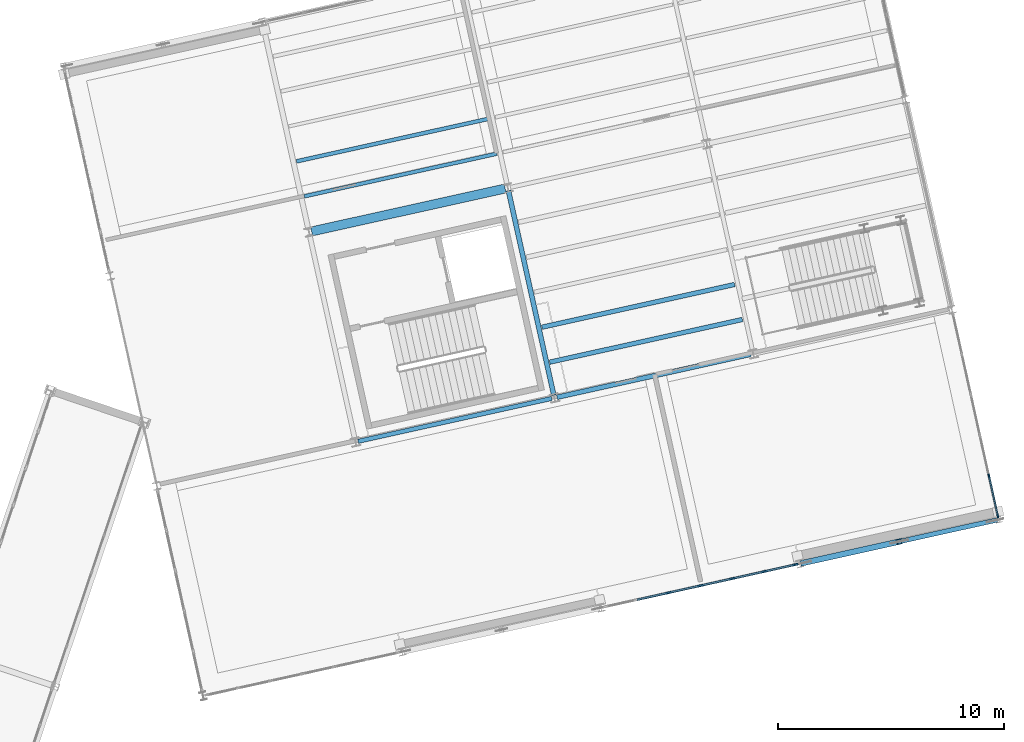
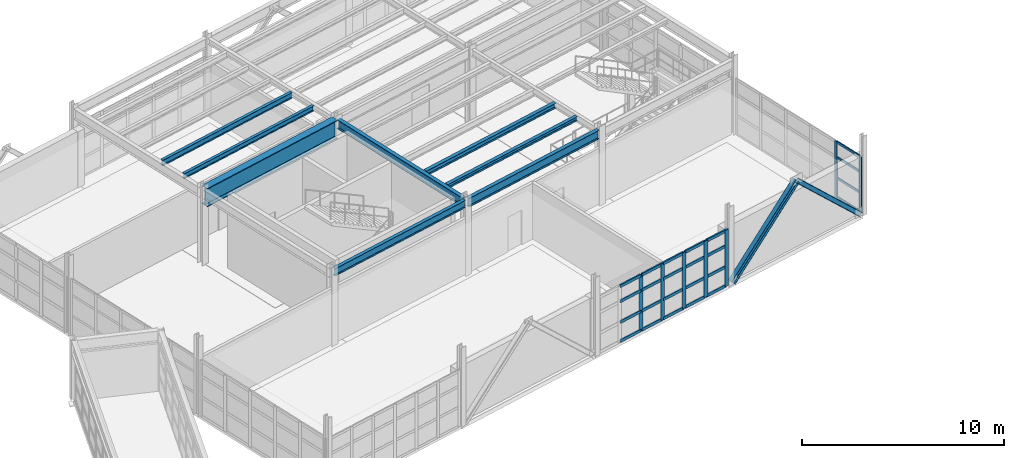
# One storey, part 55 of 102: 33 members, 8 beams, 2 elements without a shape of their own.
"""IFC4 building model written with IfcOpenShell, lengths in metres."""

from ifc_helpers import new_model, si_unit, direction, frame, origin, origin_2d, place, context, subcontext, project, spatial, rectangle, i_section, extrude, material, layer, layer_set, material_profile, profile_set, type_object, element, aggregate, save


model = new_model("IFC4")

# Units and contexts
model_context = context("Model", 3, precision=1e-05, world=origin(), true_north=direction((0.0, 1.0)))
body_context = subcontext(model_context, "Body", "Model", "MODEL_VIEW")
ifc_project = project(units=[si_unit("LENGTHUNIT", "METRE"), si_unit("AREAUNIT", "SQUARE_METRE"), si_unit("VOLUMEUNIT", "CUBIC_METRE"), si_unit("PLANEANGLEUNIT", "RADIAN"), si_unit("MASSUNIT", "GRAM", prefix="KILO")], contexts=[model_context])

# Site, building, storey
site_placement = place(None, origin())
site = spatial("IfcSite", under=ifc_project, at=site_placement, CompositionType="ELEMENT")
building_placement = place(site_placement, origin())
building = spatial("IfcBuilding", under=site, at=building_placement, Name="Vireo Bluff Cable Station", CompositionType="ELEMENT")
storey_placement = place(building_placement, frame((0.0, 0.0, 9.60009765625)))
storey = spatial("IfcBuildingStorey", under=building, at=storey_placement, Name="L02", CompositionType="ELEMENT", Elevation=9.60009765625)

# Beam
ifc_material_1 = material(Name="Steel ASTM A992 Gr. 50", Category="steel")
ifc_material_profile_1 = material_profile(ifc_material_1, i_section(OverallWidth=0.214111328125, OverallDepth=0.549072265625, WebThickness=0.0146484375, FlangeThickness=0.023681640625, FilletRadius=0.012939453125, at=origin_2d()), Name="W21X93")
ifc_profile_set_1 = profile_set([ifc_material_profile_1], Name="Steel ASTM A992 Gr. 50")
beam_type_1 = type_object("IfcBeamType", Name="BM-W21X93", PredefinedType="BEAM", material=ifc_profile_set_1)
beam_1_placement = place(storey_placement, frame((141.4912109375, 87.287841796875, 4.265380859375), z_axis=(-0.216430734067, 0.976297975698, 0.0), x_axis=(-0.976297975698, -0.216430734067, 0.0)))
element("IfcBeam", 1, at=beam_1_placement, inside=storey, type_object=beam_type_1, Name="V2 L02 beam 535", PredefinedType="BEAM", context=body_context, shape_type="SweptSolid", body=[
    extrude(i_section(OverallWidth=0.214111328125, OverallDepth=0.549072265625, WebThickness=0.0146484375, FlangeThickness=0.023681640625, FilletRadius=0.012939453125, at=origin_2d()), origin(), (0.0, 0.0, 1.0), 9.260009765625),
])

# Members
ifc_material_profile_2 = material_profile(ifc_material_1, i_section(OverallWidth=0.2041015625, OverallDepth=0.257080078125, WebThickness=0.0087890625, FlangeThickness=0.015625, FilletRadius=0.009033203125, at=origin_2d()), Name="W10X45")
ifc_profile_set_2 = profile_set([ifc_material_profile_2], Name="Steel ASTM A992 Gr. 50")
member_type_1 = type_object("IfcMemberType", Name="BRC-01", PredefinedType="BRACE", material=ifc_profile_set_2)
member_1_placement = place(storey_placement, frame((160.990478515625, 81.757080078125, 0.039794921875), z_axis=(-0.70641690538, -0.156588063094, 0.69025744059), x_axis=(0.216412221259, -0.976302079528, 0.0)))
element("IfcMember", 2, at=member_1_placement, inside=storey, type_object=member_type_1, Name="V2 L02 concentric brace 42R", PredefinedType="BRACE", context=body_context, shape_type="SweptSolid", body=[
    extrude(i_section(OverallWidth=0.2041015625, OverallDepth=0.257080078125, WebThickness=0.0087890625, FlangeThickness=0.015625, FilletRadius=0.009033203125, at=origin_2d()), origin(), (0.0, 0.0, 1.0), 5.998046875),
])
ifc_material_profile_3 = material_profile(ifc_material_1, i_section(OverallWidth=0.25390625, OverallDepth=0.35302734375, WebThickness=0.009521484375, FlangeThickness=0.016357421875, FilletRadius=0.011962890625, at=origin_2d()), Name="W14X61")
ifc_profile_set_3 = profile_set([ifc_material_profile_3], Name="Steel ASTM A992 Gr. 50")
member_type_2 = type_object("IfcMemberType", Name="BRC-06", PredefinedType="BRACE", material=ifc_profile_set_3)
member_2_placement = place(storey_placement, frame((152.51611328125, 79.87841796875, 0.039794921875), z_axis=(0.706432793225, 0.156623265057, 0.690233193565), x_axis=(-0.216453952688, 0.976292828185, 0.0)))
element("IfcMember", 3, at=member_2_placement, inside=storey, type_object=member_type_2, Name="V2 L02 concentric brace 41L", PredefinedType="BRACE", context=body_context, shape_type="SweptSolid", body=[
    extrude(i_section(OverallWidth=0.25390625, OverallDepth=0.35302734375, WebThickness=0.009521484375, FlangeThickness=0.016357421875, FilletRadius=0.011962890625, at=origin_2d()), origin(), (0.0, 0.0, 1.0), 5.998291015625),
])

# Curtain wall, members
ifc_material_2 = material(Name="Anodized Aluminium 6063-T6", Category="aluminium")
ifc_layer_1 = layer(ifc_material_2, 0.159912109375, Name="Anodized Aluminium 6063-T6")
ifc_layer_set_1 = layer_set([ifc_layer_1], Name="Anodized Aluminium 6063-T6")
curtain_wall_type_1 = type_object("IfcCurtainWallType", Name="CW-STICK-1750", PredefinedType="USERDEFINED", material=ifc_layer_set_1)
curtain_wall_1_placement = place(storey_placement, origin())
curtain_wall_1 = element("IfcCurtainWall", 4, at=curtain_wall_1_placement, inside=storey, type_object=curtain_wall_type_1, Name="V2 L02 east curtain wall CW-060", ObjectType="STICK CURTAIN WALL", PredefinedType="USERDEFINED")
ifc_material_profile_4 = material_profile(ifc_material_2, rectangle(XDim=0.06494140625, YDim=0.179931640625, at=origin_2d()), Name="ALU-M-65X180")
ifc_profile_set_4 = profile_set([ifc_material_profile_4], Name="Anodized Aluminium 6063-T6")
member_type_3 = type_object("IfcMemberType", Name="CWM-01", PredefinedType="MULLION", material=ifc_profile_set_4)
member_3_placement = place(storey_placement, frame((160.71923828125, 83.719482421875, 0.0), z_axis=(0.0, 0.0, 1.0), x_axis=(0.976296019658, 0.216439557384, 0.0)))
member_3 = element("IfcMember", 5, at=member_3_placement, type_object=member_type_3, Name="CW-060 mullion 5", PredefinedType="MULLION", context=body_context, shape_type="SweptSolid", body=[
    extrude(rectangle(XDim=0.06494140625, YDim=0.179931640625, at=origin_2d()), origin(), (0.0, 0.0, 1.0), 3.39990234375),
])
member_4_placement = place(storey_placement, frame((161.110595703125, 81.954345703125, 0.0), z_axis=(0.0, 0.0, 1.0), x_axis=(0.976296019658, 0.216439557384, 0.0)))
member_4 = element("IfcMember", 6, at=member_4_placement, type_object=member_type_3, Name="CW-060 mullion 6", PredefinedType="MULLION", context=body_context, shape_type="SweptSolid", body=[
    extrude(rectangle(XDim=0.06494140625, YDim=0.179931640625, at=origin_2d()), origin(), (0.0, 0.0, 1.0), 3.39990234375),
])

ifc_layer_2 = layer(ifc_material_2, 0.179931640625, Name="Anodized Aluminium 6063-T6")
ifc_layer_set_2 = layer_set([ifc_layer_2], Name="Anodized Aluminium 6063-T6")
curtain_wall_type_2 = type_object("IfcCurtainWallType", Name="CW-UNIT-1400", PredefinedType="USERDEFINED", material=ifc_layer_set_2)
curtain_wall_2_placement = place(storey_placement, origin())
curtain_wall_2 = element("IfcCurtainWall", 7, at=curtain_wall_2_placement, inside=storey, type_object=curtain_wall_type_2, Name="V2 L02 south curtain wall CW-051", ObjectType="UNITISED CURTAIN WALL", PredefinedType="USERDEFINED")
ifc_material_profile_5 = material_profile(ifc_material_2, rectangle(XDim=0.080078125, YDim=0.239990234375, at=origin_2d()), Name="ALU-M-80X240")
ifc_profile_set_5 = profile_set([ifc_material_profile_5], Name="Anodized Aluminium 6063-T6")
member_type_4 = type_object("IfcMemberType", Name="CWM-04", PredefinedType="MULLION", material=ifc_profile_set_5)
member_5_placement = place(storey_placement, frame((152.168212890625, 79.80126953125, 0.0), z_axis=(0.0, 0.0, 1.0), x_axis=(0.216439604447, -0.976296009224, 0.0)))
member_5 = element("IfcMember", 8, at=member_5_placement, type_object=member_type_4, Name="CW-051 mullion 1", PredefinedType="MULLION", context=body_context, shape_type="SweptSolid", body=[
    extrude(rectangle(XDim=0.080078125, YDim=0.239990234375, at=origin_2d()), origin(), (0.0, 0.0, 1.0), 3.39990234375),
])
member_6_placement = place(storey_placement, frame((150.7939453125, 79.49658203125, 0.0), z_axis=(0.0, 0.0, 1.0), x_axis=(0.216439604447, -0.976296009224, 0.0)))
member_6 = element("IfcMember", 9, at=member_6_placement, type_object=member_type_4, Name="CW-051 mullion 2", PredefinedType="MULLION", context=body_context, shape_type="SweptSolid", body=[
    extrude(rectangle(XDim=0.080078125, YDim=0.239990234375, at=origin_2d()), origin(), (0.0, 0.0, 1.0), 3.39990234375),
])
member_7_placement = place(storey_placement, frame((149.380859375, 79.183349609375, 0.0), z_axis=(0.0, 0.0, 1.0), x_axis=(0.216439604447, -0.976296009224, 0.0)))
member_7 = element("IfcMember", 10, at=member_7_placement, type_object=member_type_4, Name="CW-051 mullion 3", PredefinedType="MULLION", context=body_context, shape_type="SweptSolid", body=[
    extrude(rectangle(XDim=0.080078125, YDim=0.239990234375, at=origin_2d()), origin(), (0.0, 0.0, 1.0), 3.39990234375),
])
member_8_placement = place(storey_placement, frame((147.967529296875, 78.8701171875, 0.0), z_axis=(0.0, 0.0, 1.0), x_axis=(0.216439604447, -0.976296009224, 0.0)))
member_8 = element("IfcMember", 11, at=member_8_placement, type_object=member_type_4, Name="CW-051 mullion 4", PredefinedType="MULLION", context=body_context, shape_type="SweptSolid", body=[
    extrude(rectangle(XDim=0.080078125, YDim=0.239990234375, at=origin_2d()), origin(), (0.0, 0.0, 1.0), 3.39990234375),
])
member_9_placement = place(storey_placement, frame((146.554443359375, 78.556884765625, 0.0), z_axis=(0.0, 0.0, 1.0), x_axis=(0.216439604447, -0.976296009224, 0.0)))
member_9 = element("IfcMember", 12, at=member_9_placement, type_object=member_type_4, Name="CW-051 mullion 5", PredefinedType="MULLION", context=body_context, shape_type="SweptSolid", body=[
    extrude(rectangle(XDim=0.080078125, YDim=0.239990234375, at=origin_2d()), origin(), (0.0, 0.0, 1.0), 3.39990234375),
])

# Member
ifc_material_profile_6 = material_profile(ifc_material_2, rectangle(XDim=0.06494140625, YDim=0.139892578125, at=origin_2d()), Name="ALU-T-65X140")
ifc_profile_set_6 = profile_set([ifc_material_profile_6], Name="Anodized Aluminium 6063-T6")
member_type_5 = type_object("IfcMemberType", Name="CWT-01", PredefinedType="USERDEFINED", material=ifc_profile_set_6)
member_10_placement = place(storey_placement, frame((160.726318359375, 83.687744140625, 0.032470703125), z_axis=(0.216411336564, -0.976302275633, 0.0), x_axis=(0.976302275633, 0.216411336564, 0.0)))
member_10 = element("IfcMember", 13, at=member_10_placement, type_object=member_type_5, Name="CW-060 transom 5.1", ObjectType="TRANSOM", PredefinedType="USERDEFINED", context=body_context, shape_type="SweptSolid", body=[
    extrude(rectangle(XDim=0.06494140625, YDim=0.139892578125, at=origin_2d()), origin(), (0.0, 0.0, 1.0), 1.742919921875),
])

member_11_placement = place(storey_placement, frame((160.726318359375, 83.687744140625, 1.18994140625), z_axis=(0.216411336564, -0.976302275633, 0.0), x_axis=(0.976302275633, 0.216411336564, 0.0)))
member_11 = element("IfcMember", 14, at=member_11_placement, type_object=member_type_5, Name="CW-060 transom 5.2", ObjectType="TRANSOM", PredefinedType="USERDEFINED", context=body_context, shape_type="SweptSolid", body=[
    extrude(rectangle(XDim=0.06494140625, YDim=0.139892578125, at=origin_2d()), origin(), (0.0, 0.0, 1.0), 1.742919921875),
])

member_12_placement = place(storey_placement, frame((160.726318359375, 83.687744140625, 2.447998046875), z_axis=(0.216411336564, -0.976302275633, 0.0), x_axis=(0.976302275633, 0.216411336564, 0.0)))
member_12 = element("IfcMember", 15, at=member_12_placement, type_object=member_type_5, Name="CW-060 transom 5.3", ObjectType="TRANSOM", PredefinedType="USERDEFINED", context=body_context, shape_type="SweptSolid", body=[
    extrude(rectangle(XDim=0.06494140625, YDim=0.139892578125, at=origin_2d()), origin(), (0.0, 0.0, 1.0), 1.742919921875),
])

member_13_placement = place(storey_placement, frame((160.726318359375, 83.687744140625, 3.367431640625), z_axis=(0.216411336564, -0.976302275633, 0.0), x_axis=(0.976302275633, 0.216411336564, 0.0)))
member_13 = element("IfcMember", 16, at=member_13_placement, type_object=member_type_5, Name="CW-060 transom 5.4", ObjectType="TRANSOM", PredefinedType="USERDEFINED", context=body_context, shape_type="SweptSolid", body=[
    extrude(rectangle(XDim=0.06494140625, YDim=0.139892578125, at=origin_2d()), origin(), (0.0, 0.0, 1.0), 1.742919921875),
])

aggregate(curtain_wall_1, [member_3, member_4, member_10, member_11, member_12, member_13])

ifc_material_profile_7 = material_profile(ifc_material_2, rectangle(XDim=0.080078125, YDim=0.175048828125, at=origin_2d()), Name="ALU-T-80X175")
ifc_profile_set_7 = profile_set([ifc_material_profile_7], Name="Anodized Aluminium 6063-T6")
member_type_6 = type_object("IfcMemberType", Name="CWT-04", PredefinedType="USERDEFINED", material=ifc_profile_set_7)
member_14_placement = place(storey_placement, frame((152.129150390625, 79.792724609375, 0.039794921875), z_axis=(-0.976295111965, -0.216443651683, 0.0), x_axis=(0.216443651683, -0.976295111965, 0.0)))
member_14 = element("IfcMember", 17, at=member_14_placement, type_object=member_type_6, Name="CW-051 transom 1.1", ObjectType="TRANSOM", PredefinedType="USERDEFINED", context=body_context, shape_type="SweptSolid", body=[
    extrude(rectangle(XDim=0.080078125, YDim=0.175048828125, at=origin_2d()), origin(), (0.0, 0.0, 1.0), 1.32763671875),
])

member_15_placement = place(storey_placement, frame((152.129150390625, 79.792724609375, 1.18994140625), z_axis=(-0.976295111965, -0.216443651683, 0.0), x_axis=(0.216443651683, -0.976295111965, 0.0)))
member_15 = element("IfcMember", 18, at=member_15_placement, type_object=member_type_6, Name="CW-051 transom 1.2", ObjectType="TRANSOM", PredefinedType="USERDEFINED", context=body_context, shape_type="SweptSolid", body=[
    extrude(rectangle(XDim=0.080078125, YDim=0.175048828125, at=origin_2d()), origin(), (0.0, 0.0, 1.0), 1.32763671875),
])

member_16_placement = place(storey_placement, frame((152.129150390625, 79.792724609375, 2.447998046875), z_axis=(-0.976295111965, -0.216443651683, 0.0), x_axis=(0.216443651683, -0.976295111965, 0.0)))
member_16 = element("IfcMember", 19, at=member_16_placement, type_object=member_type_6, Name="CW-051 transom 1.3", ObjectType="TRANSOM", PredefinedType="USERDEFINED", context=body_context, shape_type="SweptSolid", body=[
    extrude(rectangle(XDim=0.080078125, YDim=0.175048828125, at=origin_2d()), origin(), (0.0, 0.0, 1.0), 1.32763671875),
])

member_17_placement = place(storey_placement, frame((152.129150390625, 79.792724609375, 3.35986328125), z_axis=(-0.976295111965, -0.216443651683, 0.0), x_axis=(0.216443651683, -0.976295111965, 0.0)))
member_17 = element("IfcMember", 20, at=member_17_placement, type_object=member_type_6, Name="CW-051 transom 1.4", ObjectType="TRANSOM", PredefinedType="USERDEFINED", context=body_context, shape_type="SweptSolid", body=[
    extrude(rectangle(XDim=0.080078125, YDim=0.175048828125, at=origin_2d()), origin(), (0.0, 0.0, 1.0), 1.32763671875),
])

member_18_placement = place(storey_placement, frame((150.7548828125, 79.488037109375, 0.039794921875), z_axis=(-0.976304548779, -0.216401081405, 0.0), x_axis=(0.216401081405, -0.976304548779, 0.0)))
member_18 = element("IfcMember", 21, at=member_18_placement, type_object=member_type_6, Name="CW-051 transom 2.1", ObjectType="TRANSOM", PredefinedType="USERDEFINED", context=body_context, shape_type="SweptSolid", body=[
    extrude(rectangle(XDim=0.080078125, YDim=0.175048828125, at=origin_2d()), origin(), (0.0, 0.0, 1.0), 1.367431640625),
])

member_19_placement = place(storey_placement, frame((150.7548828125, 79.488037109375, 1.18994140625), z_axis=(-0.976304548779, -0.216401081405, 0.0), x_axis=(0.216401081405, -0.976304548779, 0.0)))
member_19 = element("IfcMember", 22, at=member_19_placement, type_object=member_type_6, Name="CW-051 transom 2.2", ObjectType="TRANSOM", PredefinedType="USERDEFINED", context=body_context, shape_type="SweptSolid", body=[
    extrude(rectangle(XDim=0.080078125, YDim=0.175048828125, at=origin_2d()), origin(), (0.0, 0.0, 1.0), 1.367431640625),
])

member_20_placement = place(storey_placement, frame((150.7548828125, 79.488037109375, 2.447998046875), z_axis=(-0.976304548779, -0.216401081405, 0.0), x_axis=(0.216401081405, -0.976304548779, 0.0)))
member_20 = element("IfcMember", 23, at=member_20_placement, type_object=member_type_6, Name="CW-051 transom 2.3", ObjectType="TRANSOM", PredefinedType="USERDEFINED", context=body_context, shape_type="SweptSolid", body=[
    extrude(rectangle(XDim=0.080078125, YDim=0.175048828125, at=origin_2d()), origin(), (0.0, 0.0, 1.0), 1.367431640625),
])

member_21_placement = place(storey_placement, frame((150.7548828125, 79.488037109375, 3.35986328125), z_axis=(-0.976304548779, -0.216401081405, 0.0), x_axis=(0.216401081405, -0.976304548779, 0.0)))
member_21 = element("IfcMember", 24, at=member_21_placement, type_object=member_type_6, Name="CW-051 transom 2.4", ObjectType="TRANSOM", PredefinedType="USERDEFINED", context=body_context, shape_type="SweptSolid", body=[
    extrude(rectangle(XDim=0.080078125, YDim=0.175048828125, at=origin_2d()), origin(), (0.0, 0.0, 1.0), 1.367431640625),
])

member_22_placement = place(storey_placement, frame((149.341796875, 79.1748046875, 0.039794921875), z_axis=(-0.97627518479, -0.216533516027, 0.0), x_axis=(0.216533516027, -0.97627518479, 0.0)))
member_22 = element("IfcMember", 25, at=member_22_placement, type_object=member_type_6, Name="CW-051 transom 3.1", ObjectType="TRANSOM", PredefinedType="USERDEFINED", context=body_context, shape_type="SweptSolid", body=[
    extrude(rectangle(XDim=0.080078125, YDim=0.175048828125, at=origin_2d()), origin(), (0.0, 0.0, 1.0), 1.36767578125),
])

member_23_placement = place(storey_placement, frame((149.341796875, 79.1748046875, 1.18994140625), z_axis=(-0.97627518479, -0.216533516027, 0.0), x_axis=(0.216533516027, -0.97627518479, 0.0)))
member_23 = element("IfcMember", 26, at=member_23_placement, type_object=member_type_6, Name="CW-051 transom 3.2", ObjectType="TRANSOM", PredefinedType="USERDEFINED", context=body_context, shape_type="SweptSolid", body=[
    extrude(rectangle(XDim=0.080078125, YDim=0.175048828125, at=origin_2d()), origin(), (0.0, 0.0, 1.0), 1.36767578125),
])

member_24_placement = place(storey_placement, frame((149.341796875, 79.1748046875, 2.447998046875), z_axis=(-0.97627518479, -0.216533516027, 0.0), x_axis=(0.216533516027, -0.97627518479, 0.0)))
member_24 = element("IfcMember", 27, at=member_24_placement, type_object=member_type_6, Name="CW-051 transom 3.3", ObjectType="TRANSOM", PredefinedType="USERDEFINED", context=body_context, shape_type="SweptSolid", body=[
    extrude(rectangle(XDim=0.080078125, YDim=0.175048828125, at=origin_2d()), origin(), (0.0, 0.0, 1.0), 1.36767578125),
])

member_25_placement = place(storey_placement, frame((149.341796875, 79.1748046875, 3.35986328125), z_axis=(-0.97627518479, -0.216533516027, 0.0), x_axis=(0.216533516027, -0.97627518479, 0.0)))
member_25 = element("IfcMember", 28, at=member_25_placement, type_object=member_type_6, Name="CW-051 transom 3.4", ObjectType="TRANSOM", PredefinedType="USERDEFINED", context=body_context, shape_type="SweptSolid", body=[
    extrude(rectangle(XDim=0.080078125, YDim=0.175048828125, at=origin_2d()), origin(), (0.0, 0.0, 1.0), 1.36767578125),
])

member_26_placement = place(storey_placement, frame((147.928466796875, 78.861572265625, 0.039794921875), z_axis=(-0.976266812811, -0.21657125895, 0.0), x_axis=(0.21657125895, -0.976266812811, 0.0)))
member_26 = element("IfcMember", 29, at=member_26_placement, type_object=member_type_6, Name="CW-051 transom 4.1", ObjectType="TRANSOM", PredefinedType="USERDEFINED", context=body_context, shape_type="SweptSolid", body=[
    extrude(rectangle(XDim=0.080078125, YDim=0.175048828125, at=origin_2d()), origin(), (0.0, 0.0, 1.0), 1.367431640625),
])

member_27_placement = place(storey_placement, frame((147.928466796875, 78.861572265625, 1.18994140625), z_axis=(-0.976266812811, -0.21657125895, 0.0), x_axis=(0.21657125895, -0.976266812811, 0.0)))
member_27 = element("IfcMember", 30, at=member_27_placement, type_object=member_type_6, Name="CW-051 transom 4.2", ObjectType="TRANSOM", PredefinedType="USERDEFINED", context=body_context, shape_type="SweptSolid", body=[
    extrude(rectangle(XDim=0.080078125, YDim=0.175048828125, at=origin_2d()), origin(), (0.0, 0.0, 1.0), 1.367431640625),
])

member_28_placement = place(storey_placement, frame((147.928466796875, 78.861572265625, 2.447998046875), z_axis=(-0.976266812811, -0.21657125895, 0.0), x_axis=(0.21657125895, -0.976266812811, 0.0)))
member_28 = element("IfcMember", 31, at=member_28_placement, type_object=member_type_6, Name="CW-051 transom 4.3", ObjectType="TRANSOM", PredefinedType="USERDEFINED", context=body_context, shape_type="SweptSolid", body=[
    extrude(rectangle(XDim=0.080078125, YDim=0.175048828125, at=origin_2d()), origin(), (0.0, 0.0, 1.0), 1.367431640625),
])

member_29_placement = place(storey_placement, frame((147.928466796875, 78.861572265625, 3.35986328125), z_axis=(-0.976266812811, -0.21657125895, 0.0), x_axis=(0.21657125895, -0.976266812811, 0.0)))
member_29 = element("IfcMember", 32, at=member_29_placement, type_object=member_type_6, Name="CW-051 transom 4.4", ObjectType="TRANSOM", PredefinedType="USERDEFINED", context=body_context, shape_type="SweptSolid", body=[
    extrude(rectangle(XDim=0.080078125, YDim=0.175048828125, at=origin_2d()), origin(), (0.0, 0.0, 1.0), 1.367431640625),
])

member_30_placement = place(storey_placement, frame((146.515380859375, 78.548095703125, 0.039794921875), z_axis=(-0.976304548779, -0.216401081405, 0.0), x_axis=(0.216401081405, -0.976304548779, 0.0)))
member_30 = element("IfcMember", 33, at=member_30_placement, type_object=member_type_6, Name="CW-051 transom 5.1", ObjectType="TRANSOM", PredefinedType="USERDEFINED", context=body_context, shape_type="SweptSolid", body=[
    extrude(rectangle(XDim=0.080078125, YDim=0.175048828125, at=origin_2d()), origin(), (0.0, 0.0, 1.0), 1.367431640625),
])

member_31_placement = place(storey_placement, frame((146.515380859375, 78.548095703125, 1.18994140625), z_axis=(-0.976304548779, -0.216401081405, 0.0), x_axis=(0.216401081405, -0.976304548779, 0.0)))
member_31 = element("IfcMember", 34, at=member_31_placement, type_object=member_type_6, Name="CW-051 transom 5.2", ObjectType="TRANSOM", PredefinedType="USERDEFINED", context=body_context, shape_type="SweptSolid", body=[
    extrude(rectangle(XDim=0.080078125, YDim=0.175048828125, at=origin_2d()), origin(), (0.0, 0.0, 1.0), 1.367431640625),
])

member_32_placement = place(storey_placement, frame((146.515380859375, 78.548095703125, 2.447998046875), z_axis=(-0.976304548779, -0.216401081405, 0.0), x_axis=(0.216401081405, -0.976304548779, 0.0)))
member_32 = element("IfcMember", 35, at=member_32_placement, type_object=member_type_6, Name="CW-051 transom 5.3", ObjectType="TRANSOM", PredefinedType="USERDEFINED", context=body_context, shape_type="SweptSolid", body=[
    extrude(rectangle(XDim=0.080078125, YDim=0.175048828125, at=origin_2d()), origin(), (0.0, 0.0, 1.0), 1.367431640625),
])

member_33_placement = place(storey_placement, frame((146.515380859375, 78.548095703125, 3.35986328125), z_axis=(-0.976304548779, -0.216401081405, 0.0), x_axis=(0.216401081405, -0.976304548779, 0.0)))
member_33 = element("IfcMember", 36, at=member_33_placement, type_object=member_type_6, Name="CW-051 transom 5.4", ObjectType="TRANSOM", PredefinedType="USERDEFINED", context=body_context, shape_type="SweptSolid", body=[
    extrude(rectangle(XDim=0.080078125, YDim=0.175048828125, at=origin_2d()), origin(), (0.0, 0.0, 1.0), 1.367431640625),
])

aggregate(curtain_wall_2, [member_5, member_6, member_7, member_8, member_9, member_14, member_15, member_16, member_17, member_18, member_19, member_20, member_21, member_22, member_23, member_24, member_25, member_26, member_27, member_28, member_29, member_30, member_31, member_32, member_33])

# Beams
ifc_material_profile_8 = material_profile(ifc_material_1, i_section(OverallWidth=0.404052734375, OverallDepth=1.117919921875, WebThickness=0.026123046875, FlangeThickness=0.044921875, FilletRadius=0.02197265625, at=origin_2d()), Name="W44X335")
ifc_profile_set_8 = profile_set([ifc_material_profile_8], Name="Steel ASTM A992 Gr. 50")
beam_type_2 = type_object("IfcBeamType", Name="GIR-W44X335", PredefinedType="USERDEFINED", material=ifc_profile_set_8)
beam_2_placement = place(storey_placement, frame((130.79150390625, 94.5234375, 3.98095703125), z_axis=(0.976289905703, 0.216467133817, 0.0), x_axis=(-0.216467133817, 0.976289905703, 0.0)))
element("IfcBeam", 37, at=beam_2_placement, inside=storey, type_object=beam_type_2, Name="V2 L02 girder 527", ObjectType="GIRDER", PredefinedType="USERDEFINED", context=body_context, shape_type="SweptSolid", body=[
    extrude(i_section(OverallWidth=0.404052734375, OverallDepth=1.117919921875, WebThickness=0.026123046875, FlangeThickness=0.044921875, FilletRadius=0.02197265625, at=origin_2d()), origin(), (0.0, 0.0, 1.0), 8.760009765625),
])
ifc_material_profile_9 = material_profile(ifc_material_1, i_section(OverallWidth=0.201904296875, OverallDepth=0.2470703125, WebThickness=0.00732421875, FlangeThickness=0.010986328125, FilletRadius=0.009033203125, at=origin_2d()), Name="W10X33")
ifc_profile_set_9 = profile_set([ifc_material_profile_9], Name="Steel ASTM A992 Gr. 50")
beam_type_3 = type_object("IfcBeamType", Name="JST-W10X33", PredefinedType="JOIST", material=ifc_profile_set_9)
beam_3_placement = place(storey_placement, frame((141.31103515625, 88.746826171875, 4.41650390625), z_axis=(0.976294318526, 0.216447230551, 0.0), x_axis=(-0.216447230551, 0.976294318526, 0.0)))
element("IfcBeam", 38, at=beam_3_placement, inside=storey, type_object=beam_type_3, Name="V2 L02 composite joist 546", PredefinedType="JOIST", context=body_context, shape_type="SweptSolid", body=[
    extrude(i_section(OverallWidth=0.201904296875, OverallDepth=0.2470703125, WebThickness=0.00732421875, FlangeThickness=0.010986328125, FilletRadius=0.009033203125, at=origin_2d()), origin(), (0.0, 0.0, 1.0), 8.72021484375),
])
ifc_material_profile_10 = material_profile(ifc_material_1, i_section(OverallWidth=0.1650390625, OverallDepth=0.31005859375, WebThickness=0.005859375, FlangeThickness=0.009765625, FilletRadius=0.010009765625, at=origin_2d()), Name="W12X26")
ifc_profile_set_10 = profile_set([ifc_material_profile_10], Name="Steel ASTM A992 Gr. 50")
beam_type_4 = type_object("IfcBeamType", Name="JST-W12X26", PredefinedType="JOIST", material=ifc_profile_set_10)
beam_4_placement = place(storey_placement, frame((130.46826171875, 96.07373046875, 4.385009765625), z_axis=(0.976300234484, 0.216420544652, 0.0), x_axis=(-0.216420544652, 0.976300234484, 0.0)))
element("IfcBeam", 39, at=beam_4_placement, inside=storey, type_object=beam_type_4, Name="V2 L02 composite joist 541", PredefinedType="JOIST", context=body_context, shape_type="SweptSolid", body=[
    extrude(i_section(OverallWidth=0.1650390625, OverallDepth=0.31005859375, WebThickness=0.005859375, FlangeThickness=0.009765625, FilletRadius=0.010009765625, at=origin_2d()), origin(), (0.0, 0.0, 1.0), 8.719970703125),
])
ifc_material_profile_11 = material_profile(ifc_material_1, i_section(OverallWidth=0.202880859375, OverallDepth=0.302978515625, WebThickness=0.007568359375, FlangeThickness=0.01318359375, FilletRadius=0.010009765625, at=origin_2d()), Name="W12X40")
ifc_profile_set_11 = profile_set([ifc_material_profile_11], Name="Steel ASTM A992 Gr. 50")
beam_type_5 = type_object("IfcBeamType", Name="JST-W12X40", PredefinedType="JOIST", material=ifc_profile_set_11)
beam_5_placement = place(storey_placement, frame((140.968505859375, 90.292724609375, 4.388427734375), z_axis=(0.976298923088, 0.216426460438, 0.0), x_axis=(-0.216426460438, 0.976298923088, 0.0)))
element("IfcBeam", 40, at=beam_5_placement, inside=storey, type_object=beam_type_5, Name="V2 L02 composite joist 547", PredefinedType="JOIST", context=body_context, shape_type="SweptSolid", body=[
    extrude(i_section(OverallWidth=0.202880859375, OverallDepth=0.302978515625, WebThickness=0.007568359375, FlangeThickness=0.01318359375, FilletRadius=0.010009765625, at=origin_2d()), origin(), (0.0, 0.0, 1.0), 8.719970703125),
])
ifc_material_profile_12 = material_profile(ifc_material_1, i_section(OverallWidth=0.1708984375, OverallDepth=0.35107421875, WebThickness=0.0068359375, FlangeThickness=0.009765625, FilletRadius=0.010009765625, at=origin_2d()), Name="W14X30")
ifc_profile_set_12 = profile_set([ifc_material_profile_12], Name="Steel ASTM A992 Gr. 50")
beam_type_6 = type_object("IfcBeamType", Name="JST-W14X30", PredefinedType="JOIST", material=ifc_profile_set_12)
beam_6_placement = place(storey_placement, frame((130.12548828125, 97.619384765625, 4.364501953125), z_axis=(0.976294318526, 0.216447230551, 0.0), x_axis=(-0.216447230551, 0.976294318526, 0.0)))
element("IfcBeam", 41, at=beam_6_placement, inside=storey, type_object=beam_type_6, Name="V2 L02 composite joist 542", PredefinedType="JOIST", context=body_context, shape_type="SweptSolid", body=[
    extrude(i_section(OverallWidth=0.1708984375, OverallDepth=0.35107421875, WebThickness=0.0068359375, FlangeThickness=0.009765625, FilletRadius=0.010009765625, at=origin_2d()), origin(), (0.0, 0.0, 1.0), 8.72021484375),
])
ifc_material_profile_13 = material_profile(ifc_material_1, i_section(OverallWidth=0.19091796875, OverallDepth=0.45703125, WebThickness=0.009033203125, FlangeThickness=0.014404296875, FilletRadius=0.011962890625, at=origin_2d()), Name="W18X50")
ifc_profile_set_13 = profile_set([ifc_material_profile_13], Name="Steel ASTM A992 Gr. 50")
beam_type_7 = type_object("IfcBeamType", Name="SPN-W18X50", PredefinedType="SPANDREL", material=ifc_profile_set_13)
beam_7_placement = place(storey_placement, frame((132.84765625, 85.248779296875, 4.3115234375), z_axis=(0.976295795297, 0.216440569406, 0.0), x_axis=(-0.216440569406, 0.976295795297, 0.0)))
element("IfcBeam", 42, at=beam_7_placement, inside=storey, type_object=beam_type_7, Name="V2 L02 spandrel 524", PredefinedType="SPANDREL", context=body_context, shape_type="SweptSolid", body=[
    extrude(i_section(OverallWidth=0.19091796875, OverallDepth=0.45703125, WebThickness=0.009033203125, FlangeThickness=0.014404296875, FilletRadius=0.011962890625, at=origin_2d()), origin(), (0.0, 0.0, 1.0), 8.760009765625),
])
ifc_material_profile_14 = material_profile(ifc_material_1, i_section(OverallWidth=0.2099609375, OverallDepth=0.535888671875, WebThickness=0.010986328125, FlangeThickness=0.017333984375, FilletRadius=0.012939453125, at=origin_2d()), Name="W21X68")
ifc_profile_set_14 = profile_set([ifc_material_profile_14], Name="Steel ASTM A992 Gr. 50")
beam_type_8 = type_object("IfcBeamType", Name="SPN-W21X68", PredefinedType="SPANDREL", material=ifc_profile_set_14)
beam_8_placement = place(storey_placement, frame((141.63427734375, 87.19677734375, 4.27197265625), z_axis=(0.97629710087, 0.216434680293, 0.0), x_axis=(-0.216434680293, 0.97629710087, 0.0)))
element("IfcBeam", 43, at=beam_8_placement, inside=storey, type_object=beam_type_8, Name="V2 L02 spandrel 525", PredefinedType="SPANDREL", context=body_context, shape_type="SweptSolid", body=[
    extrude(i_section(OverallWidth=0.2099609375, OverallDepth=0.535888671875, WebThickness=0.010986328125, FlangeThickness=0.017333984375, FilletRadius=0.012939453125, at=origin_2d()), origin(), (0.0, 0.0, 1.0), 8.760009765625),
])

save(model, "model.ifc")
